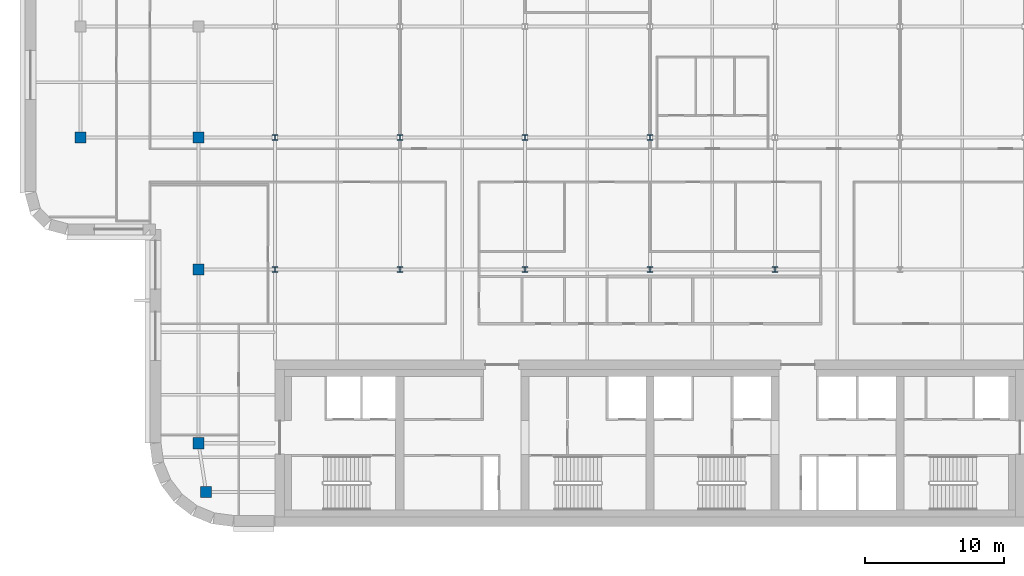
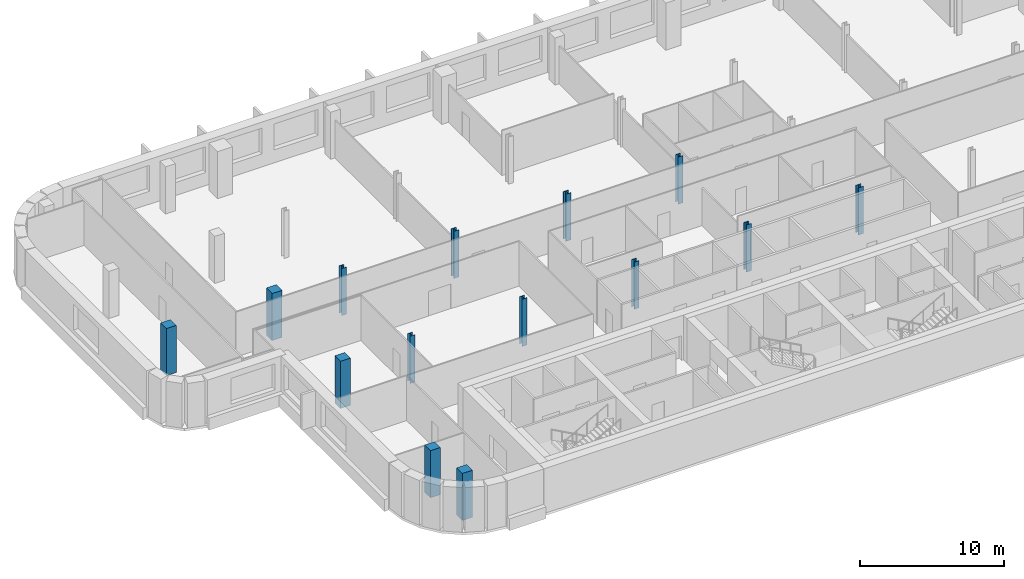
# One storey, part 1 of 16: 14 columns.
"""IFC4 building model written with IfcOpenShell, lengths in metres."""

from ifc_helpers import new_model, si_unit, direction, frame, origin, origin_2d, place, context, subcontext, project, spatial, rectangle, i_section, extrude, material, material_profile, profile_set, type_object, element, save


model = new_model("IFC4")

# Units and contexts
model_context = context("Model", 3, precision=1e-05, world=origin(), true_north=direction((0.0, 1.0)))
body_context = subcontext(model_context, "Body", "Model", "MODEL_VIEW")
ifc_project = project(units=[si_unit("LENGTHUNIT", "METRE"), si_unit("AREAUNIT", "SQUARE_METRE"), si_unit("VOLUMEUNIT", "CUBIC_METRE"), si_unit("PLANEANGLEUNIT", "RADIAN"), si_unit("MASSUNIT", "GRAM", prefix="KILO")], contexts=[model_context])

# Site, building, storey
site_placement = place(None, origin())
site = spatial("IfcSite", under=ifc_project, at=site_placement, CompositionType="ELEMENT")
building_placement = place(site_placement, origin())
building = spatial("IfcBuilding", under=site, at=building_placement, Name="Zellij Exchange Tower", CompositionType="ELEMENT")
storey_placement = place(building_placement, frame((0.0, 0.0, 248.5)))
storey = spatial("IfcBuildingStorey", under=building, at=storey_placement, Name="L58", CompositionType="ELEMENT", Elevation=248.5)

# Columns
ifc_material_1 = material(Name="Concrete C50/60", Category="concrete")
ifc_material_profile_1 = material_profile(ifc_material_1, rectangle(XDim=0.800048828125, YDim=0.800048828125, at=origin_2d()), Name="STR-COLUMN RC800x800 C50/60")
ifc_profile_set_1 = profile_set([ifc_material_profile_1], Name="Concrete C50/60")
column_type_1 = type_object("IfcColumnType", Name="STR-COLUMN RC800x800 C50/60", PredefinedType="COLUMN", material=ifc_profile_set_1)
for number, where, z_axis, x_axis, name in (
    (1, (-31.949951171875, -11.5, 0.0), (0.0, 0.0, 1.0), (1.0, 0.0, 0.0), "C15"),
    (2, (-32.5, -8.0, 0.0), (0.0, 0.0, 1.0), (1.0, 0.0, 0.0), "C15"),
    (3, (-32.5, 4.5, 0.0), (0.0, 0.0, 1.0), (1.0, 0.0, 0.0), "C15"),
    (4, (-41.0, 14.0, 0.0), (0.0, 0.0, 1.0), (1.0, 0.0, 0.0), "C15"),
    (5, (-32.5, 14.0, 0.0), (0.0, 0.0, 1.0), (1.0, 0.0, 0.0), "C15"),
):
    element("IfcColumn", number, at=place(storey_placement, frame(where, z_axis=z_axis, x_axis=x_axis)), inside=storey, type_object=column_type_1, Name=name, PredefinedType="COLUMN", context=body_context, shape_type="SweptSolid", body=[
        extrude(rectangle(XDim=0.800048828125, YDim=0.800048828125, at=origin_2d()), origin(), (0.0, 0.0, 1.0), 4.0),
    ])
ifc_material_2 = material(Name="Structural steel ASTM A992 Gr 50", Category="steel")
ifc_material_profile_2 = material_profile(ifc_material_2, i_section(OverallWidth=0.398681640625, OverallDepth=0.385986328125, WebThickness=0.02099609375, FlangeThickness=0.033203125, at=origin_2d()), Name="W14x176")
ifc_profile_set_2 = profile_set([ifc_material_profile_2], Name="Structural steel ASTM A992 Gr 50")
column_type_2 = type_object("IfcColumnType", Name="STR-COLUMN W14x176", PredefinedType="COLUMN", material=ifc_profile_set_2)
for number, where, z_axis, x_axis, name in (
    (6, (-27.0, 4.5, 0.0), (0.0, 0.0, 1.0), (1.0, 0.0, 0.0), "C2"),
    (7, (-18.0, 4.5, 0.0), (0.0, 0.0, 1.0), (1.0, 0.0, 0.0), "C2"),
    (8, (-9.0, 4.5, 0.0), (0.0, 0.0, 1.0), (1.0, 0.0, 0.0), "C2"),
    (9, (0.0, 4.5, 0.0), (0.0, 0.0, 1.0), (1.0, 0.0, 0.0), "C2"),
    (10, (9.0, 4.5, 0.0), (0.0, 0.0, 1.0), (1.0, 0.0, 0.0), "C2"),
    (11, (-27.0, 14.0, 0.0), (0.0, 0.0, 1.0), (1.0, 0.0, 0.0), "C2"),
    (12, (-18.0, 14.0, 0.0), (0.0, 0.0, 1.0), (1.0, 0.0, 0.0), "C2"),
    (13, (-9.0, 14.0, 0.0), (0.0, 0.0, 1.0), (1.0, 0.0, 0.0), "C2"),
    (14, (0.0, 14.0, 0.0), (0.0, 0.0, 1.0), (1.0, 0.0, 0.0), "C2"),
):
    element("IfcColumn", number, at=place(storey_placement, frame(where, z_axis=z_axis, x_axis=x_axis)), inside=storey, type_object=column_type_2, Name=name, PredefinedType="COLUMN", context=body_context, shape_type="SweptSolid", body=[
        extrude(i_section(OverallWidth=0.398681640625, OverallDepth=0.385986328125, WebThickness=0.02099609375, FlangeThickness=0.033203125, at=origin_2d()), origin(), (0.0, 0.0, 1.0), 4.0),
    ])

save(model, "model.ifc")
